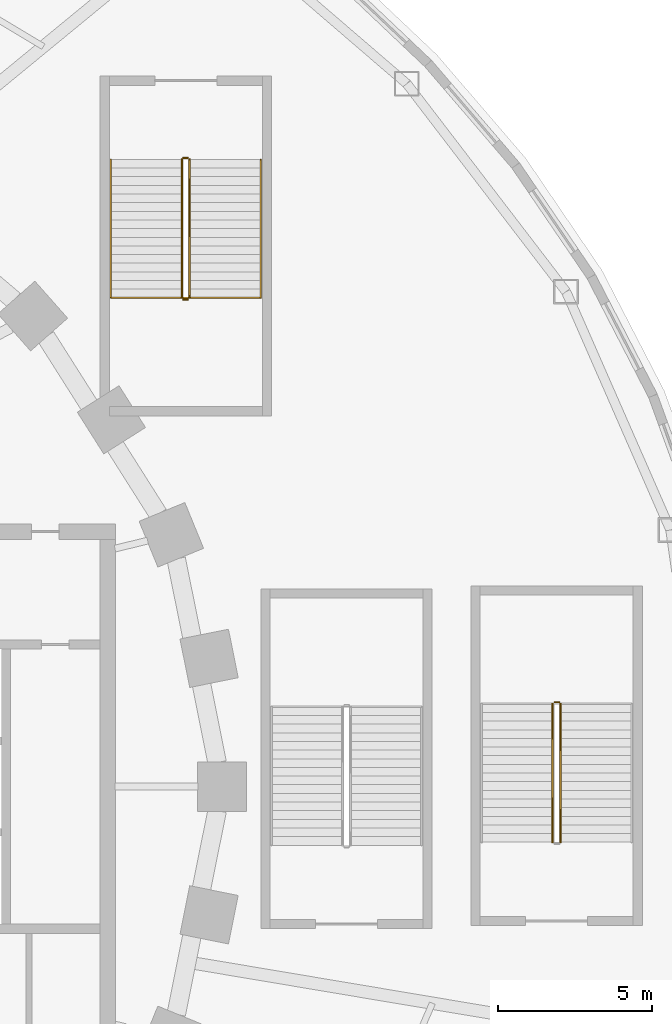
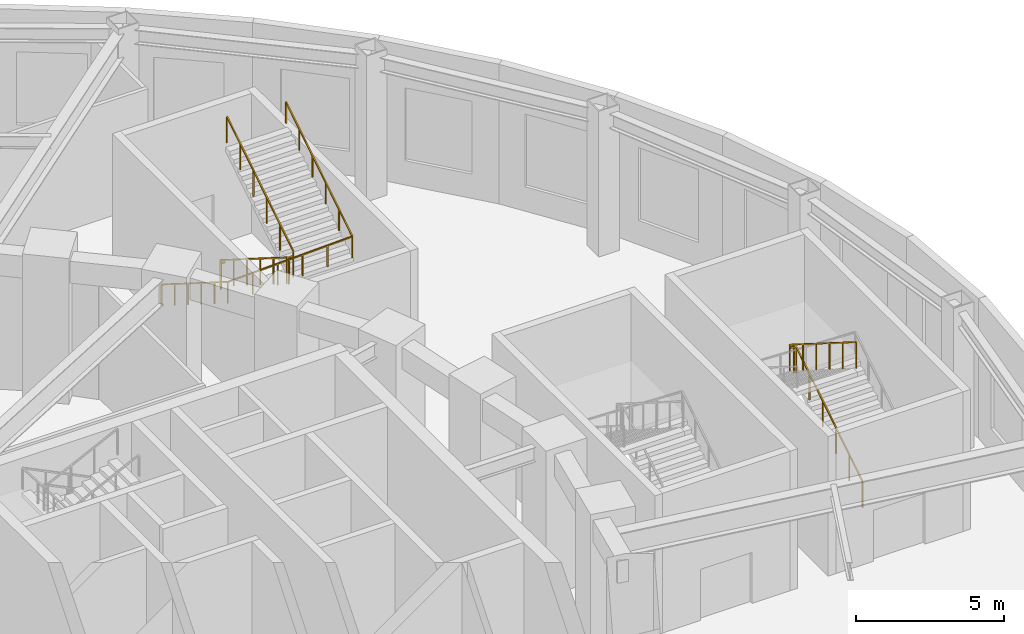
# One storey, part 73 of 74: 8 railings.
"""IFC4 building model written with IfcOpenShell, lengths in metres."""

from ifc_helpers import new_model, si_unit, direction, frame, origin, origin_2d, place, context, subcontext, project, spatial, rectangle, extrude, material, type_object, element, save


model = new_model("IFC4")

# Units and contexts
model_context = context("Model", 3, precision=1e-05, world=origin(), true_north=direction((0.0, 1.0)))
body_context = subcontext(model_context, "Body", "Model", "MODEL_VIEW")
ifc_project = project(units=[si_unit("LENGTHUNIT", "METRE"), si_unit("AREAUNIT", "SQUARE_METRE"), si_unit("VOLUMEUNIT", "CUBIC_METRE"), si_unit("PLANEANGLEUNIT", "RADIAN"), si_unit("MASSUNIT", "GRAM", prefix="KILO")], contexts=[model_context])

# Site, building, storey
site_placement = place(None, origin())
site = spatial("IfcSite", under=ifc_project, at=site_placement, CompositionType="ELEMENT")
building_placement = place(site_placement, origin())
building = spatial("IfcBuilding", under=site, at=building_placement, Name="Noorbagh Ring Tower", CompositionType="ELEMENT")
storey_placement = place(building_placement, frame((0.0, 0.0, 13.5)))
storey = spatial("IfcBuildingStorey", under=building, at=storey_placement, Name="L02", CompositionType="ELEMENT", Elevation=13.5)

# Railings
ifc_material_1 = material(Name="Stainless steel", Category="steel")
railing_type_1 = type_object("IfcRailingType", Name="GND-STAIR-GUARD", PredefinedType="GUARDRAIL", material=ifc_material_1)
railing_1_placement = place(storey_placement, frame((45.89990234375, -1.800048828125, 0.176513671875)))
element("IfcRailing", 1, at=railing_1_placement, inside=storey, type_object=railing_type_1, Name="L02 ST-P4 stair guard", PredefinedType="GUARDRAIL", context=body_context, shape_type="SweptSolid", body=[
    extrude(rectangle(XDim=0.048095703125, YDim=0.048095703125, at=origin_2d()), frame((0.0, 0.0, 1.076171875), z_axis=(0.0, 0.845997938375, 0.533186166611), x_axis=(-1.0, 0.0, 0.0)), (0.0, 0.0, 1.0), 5.29541015625),
    extrude(rectangle(XDim=0.0419921875, YDim=0.0419921875, at=origin_2d()), origin(), (0.0, 0.0, 1.0), 1.052001953125),
    extrude(rectangle(XDim=0.0419921875, YDim=0.0419921875, at=origin_2d()), frame((0.0, 0.89599609375, 0.564697265625)), (0.0, 0.0, 1.0), 1.052001953125),
    extrude(rectangle(XDim=0.0419921875, YDim=0.0419921875, at=origin_2d()), frame((0.0, 1.7919921875, 1.12939453125)), (0.0, 0.0, 1.0), 1.052001953125),
    extrude(rectangle(XDim=0.0419921875, YDim=0.0419921875, at=origin_2d()), frame((0.0, 2.68798828125, 1.694091796875)), (0.0, 0.0, 1.0), 1.052001953125),
    extrude(rectangle(XDim=0.0419921875, YDim=0.0419921875, at=origin_2d()), frame((0.0, 3.583984375, 2.2587890625)), (0.0, 0.0, 1.0), 1.052001953125),
    extrude(rectangle(XDim=0.0419921875, YDim=0.0419921875, at=origin_2d()), frame((0.0, 4.47998046875, 2.823486328125)), (0.0, 0.0, 1.0), 1.052001953125),
])
railing_2_placement = place(storey_placement, frame((45.85009765625, 2.72998046875, 3.0)))
element("IfcRailing", 2, at=railing_2_placement, inside=storey, type_object=railing_type_1, Name="L02 ST-P4 stair guard", PredefinedType="GUARDRAIL", context=body_context, shape_type="SweptSolid", body=[
    extrude(rectangle(XDim=0.048095703125, YDim=0.048095703125, at=origin_2d()), frame((0.0, 0.0, 1.076171875), z_axis=(-1.0, 0.0, 0.0), x_axis=(0.0, -1.0, 0.0)), (0.0, 0.0, 1.0), 0.150146484375),
    extrude(rectangle(XDim=0.0419921875, YDim=0.0419921875, at=origin_2d()), origin(), (0.0, 0.0, 1.0), 1.052001953125),
])
for number, where, name in (
    (3, (45.64990234375, 2.679931640625, 3.176513671875), "L02 ST-P4 stair guard"),
    (4, (33.64990234375, 20.300048828125, 0.176513671875), "L02 ST-P5 stair guard"),
):
    element("IfcRailing", number, at=place(storey_placement, frame(where)), inside=storey, type_object=railing_type_1, Name=name, PredefinedType="GUARDRAIL", context=body_context, shape_type="SweptSolid", body=[
        extrude(rectangle(XDim=0.048095703125, YDim=0.048095703125, at=origin_2d()), frame((0.0, 0.0, 1.076171875), z_axis=(0.0, -0.845997938375, 0.533186166611), x_axis=(1.0, 0.0, 0.0)), (0.0, 0.0, 1.0), 5.29541015625),
        extrude(rectangle(XDim=0.0419921875, YDim=0.0419921875, at=origin_2d()), origin(), (0.0, 0.0, 1.0), 1.052001953125),
        extrude(rectangle(XDim=0.0419921875, YDim=0.0419921875, at=origin_2d()), frame((0.0, -0.89599609375, 0.564697265625)), (0.0, 0.0, 1.0), 1.052001953125),
        extrude(rectangle(XDim=0.0419921875, YDim=0.0419921875, at=origin_2d()), frame((0.0, -1.7919921875, 1.12939453125)), (0.0, 0.0, 1.0), 1.052001953125),
        extrude(rectangle(XDim=0.0419921875, YDim=0.0419921875, at=origin_2d()), frame((0.0, -2.68798828125, 1.694091796875)), (0.0, 0.0, 1.0), 1.052001953125),
        extrude(rectangle(XDim=0.0419921875, YDim=0.0419921875, at=origin_2d()), frame((0.0, -3.583984375, 2.2587890625)), (0.0, 0.0, 1.0), 1.052001953125),
        extrude(rectangle(XDim=0.0419921875, YDim=0.0419921875, at=origin_2d()), frame((0.0, -4.47998046875, 2.823486328125)), (0.0, 0.0, 1.0), 1.052001953125),
    ])
railing_3_placement = place(storey_placement, frame((33.699951171875, 15.77001953125, 3.0)))
element("IfcRailing", 5, at=railing_3_placement, inside=storey, type_object=railing_type_1, Name="L02 ST-P5 stair guard", PredefinedType="GUARDRAIL", context=body_context, shape_type="SweptSolid", body=[
    extrude(rectangle(XDim=0.048095703125, YDim=0.048095703125, at=origin_2d()), frame((0.0, 0.0, 1.076171875), z_axis=(1.0, 0.0, 0.0), x_axis=(0.0, 1.0, 0.0)), (0.0, 0.0, 1.0), 0.150146484375),
    extrude(rectangle(XDim=0.0419921875, YDim=0.0419921875, at=origin_2d()), origin(), (0.0, 0.0, 1.0), 1.052001953125),
])
railing_4_placement = place(storey_placement, frame((33.89990234375, 15.820068359375, 3.176513671875)))
element("IfcRailing", 6, at=railing_4_placement, inside=storey, type_object=railing_type_1, Name="L02 ST-P5 stair guard", PredefinedType="GUARDRAIL", context=body_context, shape_type="SweptSolid", body=[
    extrude(rectangle(XDim=0.048095703125, YDim=0.048095703125, at=origin_2d()), frame((0.0, 0.0, 1.076171875), z_axis=(0.0, 0.845997938375, 0.533186166611), x_axis=(-1.0, 0.0, 0.0)), (0.0, 0.0, 1.0), 5.29541015625),
    extrude(rectangle(XDim=0.0419921875, YDim=0.0419921875, at=origin_2d()), origin(), (0.0, 0.0, 1.0), 1.052001953125),
    extrude(rectangle(XDim=0.0419921875, YDim=0.0419921875, at=origin_2d()), frame((0.0, 0.89599609375, 0.564697265625)), (0.0, 0.0, 1.0), 1.052001953125),
    extrude(rectangle(XDim=0.0419921875, YDim=0.0419921875, at=origin_2d()), frame((0.0, 1.7919921875, 1.12939453125)), (0.0, 0.0, 1.0), 1.052001953125),
    extrude(rectangle(XDim=0.0419921875, YDim=0.0419921875, at=origin_2d()), frame((0.0, 2.68798828125, 1.694091796875)), (0.0, 0.0, 1.0), 1.052001953125),
    extrude(rectangle(XDim=0.0419921875, YDim=0.0419921875, at=origin_2d()), frame((0.0, 3.583984375, 2.2587890625)), (0.0, 0.0, 1.0), 1.052001953125),
    extrude(rectangle(XDim=0.0419921875, YDim=0.0419921875, at=origin_2d()), frame((0.0, 4.47998046875, 2.823486328125)), (0.0, 0.0, 1.0), 1.052001953125),
])
railing_5_placement = place(storey_placement, frame((33.699951171875, 20.35009765625, 0.0)))
element("IfcRailing", 7, at=railing_5_placement, inside=storey, type_object=railing_type_1, Name="L02 ST-P5 stair guard", PredefinedType="GUARDRAIL", context=body_context, shape_type="SweptSolid", body=[
    extrude(rectangle(XDim=0.048095703125, YDim=0.048095703125, at=origin_2d()), frame((0.0, 0.0, 1.076171875), z_axis=(1.0, 0.0, 0.0), x_axis=(0.0, 1.0, 0.0)), (0.0, 0.0, 1.0), 0.150146484375),
    extrude(rectangle(XDim=0.0419921875, YDim=0.0419921875, at=origin_2d()), origin(), (0.0, 0.0, 1.0), 1.052001953125),
])
ifc_material_2 = material(Name="Stainless steel", Category="steel")
railing_type_2 = type_object("IfcRailingType", Name="GND-STAIR-HANDRAIL", PredefinedType="HANDRAIL", material=ifc_material_2)
railing_6_placement = place(storey_placement, frame((31.35009765625, 20.300048828125, 0.176513671875)))
element("IfcRailing", 8, at=railing_6_placement, inside=storey, type_object=railing_type_2, Name="L02 ST-P5 stair handrail", PredefinedType="HANDRAIL", context=body_context, shape_type="SweptSolid", body=[
    extrude(rectangle(XDim=0.048095703125, YDim=0.048095703125, at=origin_2d()), frame((0.0, 0.0, 0.8759765625), z_axis=(0.0, -0.845997938375, 0.533186166611), x_axis=(1.0, 0.0, 0.0)), (0.0, 0.0, 1.0), 5.29541015625),
    extrude(rectangle(XDim=0.048095703125, YDim=0.048095703125, at=origin_2d()), frame((0.0, -4.47998046875, 3.69921875), z_axis=(0.999338334855, 0.0, 0.036371589031), x_axis=(0.0, 1.0, 0.0)), (0.0, 0.0, 1.0), 4.85302734375),
    extrude(rectangle(XDim=0.048095703125, YDim=0.048095703125, at=origin_2d()), frame((4.849853515625, -4.47998046875, 3.8759765625), z_axis=(0.0, 0.845997938375, 0.533186166611), x_axis=(-1.0, 0.0, 0.0)), (0.0, 0.0, 1.0), 5.29541015625),
    extrude(rectangle(XDim=0.0419921875, YDim=0.0419921875, at=origin_2d()), origin(), (0.0, 0.0, 1.0), 0.851806640625),
    extrude(rectangle(XDim=0.0419921875, YDim=0.0419921875, at=origin_2d()), frame((0.0, -0.89599609375, 0.564697265625)), (0.0, 0.0, 1.0), 0.851806640625),
    extrude(rectangle(XDim=0.0419921875, YDim=0.0419921875, at=origin_2d()), frame((0.0, -1.7919921875, 1.12939453125)), (0.0, 0.0, 1.0), 0.851806640625),
    extrude(rectangle(XDim=0.0419921875, YDim=0.0419921875, at=origin_2d()), frame((0.0, -2.68798828125, 1.694091796875)), (0.0, 0.0, 1.0), 0.851806640625),
    extrude(rectangle(XDim=0.0419921875, YDim=0.0419921875, at=origin_2d()), frame((0.0, -3.583984375, 2.2587890625)), (0.0, 0.0, 1.0), 0.851806640625),
    extrude(rectangle(XDim=0.0419921875, YDim=0.0419921875, at=origin_2d()), frame((0.0, -4.47998046875, 2.823486328125)), (0.0, 0.0, 1.0), 0.851806640625),
    extrude(rectangle(XDim=0.0419921875, YDim=0.0419921875, at=origin_2d()), frame((0.969970703125, -4.47998046875, 2.85888671875)), (0.0, 0.0, 1.0), 0.851806640625),
    extrude(rectangle(XDim=0.0419921875, YDim=0.0419921875, at=origin_2d()), frame((1.93994140625, -4.47998046875, 2.89404296875)), (0.0, 0.0, 1.0), 0.851806640625),
    extrude(rectangle(XDim=0.0419921875, YDim=0.0419921875, at=origin_2d()), frame((2.909912109375, -4.47998046875, 2.929443359375)), (0.0, 0.0, 1.0), 0.851806640625),
    extrude(rectangle(XDim=0.0419921875, YDim=0.0419921875, at=origin_2d()), frame((3.8798828125, -4.47998046875, 2.964599609375)), (0.0, 0.0, 1.0), 0.851806640625),
    extrude(rectangle(XDim=0.0419921875, YDim=0.0419921875, at=origin_2d()), frame((4.849853515625, -4.47998046875, 3.0)), (0.0, 0.0, 1.0), 0.851806640625),
    extrude(rectangle(XDim=0.0419921875, YDim=0.0419921875, at=origin_2d()), frame((4.849853515625, -3.583984375, 3.564697265625)), (0.0, 0.0, 1.0), 0.851806640625),
    extrude(rectangle(XDim=0.0419921875, YDim=0.0419921875, at=origin_2d()), frame((4.849853515625, -2.68798828125, 4.12939453125)), (0.0, 0.0, 1.0), 0.851806640625),
    extrude(rectangle(XDim=0.0419921875, YDim=0.0419921875, at=origin_2d()), frame((4.849853515625, -1.7919921875, 4.694091796875)), (0.0, 0.0, 1.0), 0.851806640625),
    extrude(rectangle(XDim=0.0419921875, YDim=0.0419921875, at=origin_2d()), frame((4.849853515625, -0.89599609375, 5.2587890625)), (0.0, 0.0, 1.0), 0.851806640625),
    extrude(rectangle(XDim=0.0419921875, YDim=0.0419921875, at=origin_2d()), frame((4.849853515625, 0.0, 5.823486328125)), (0.0, 0.0, 1.0), 0.851806640625),
])

save(model, "model.ifc")
